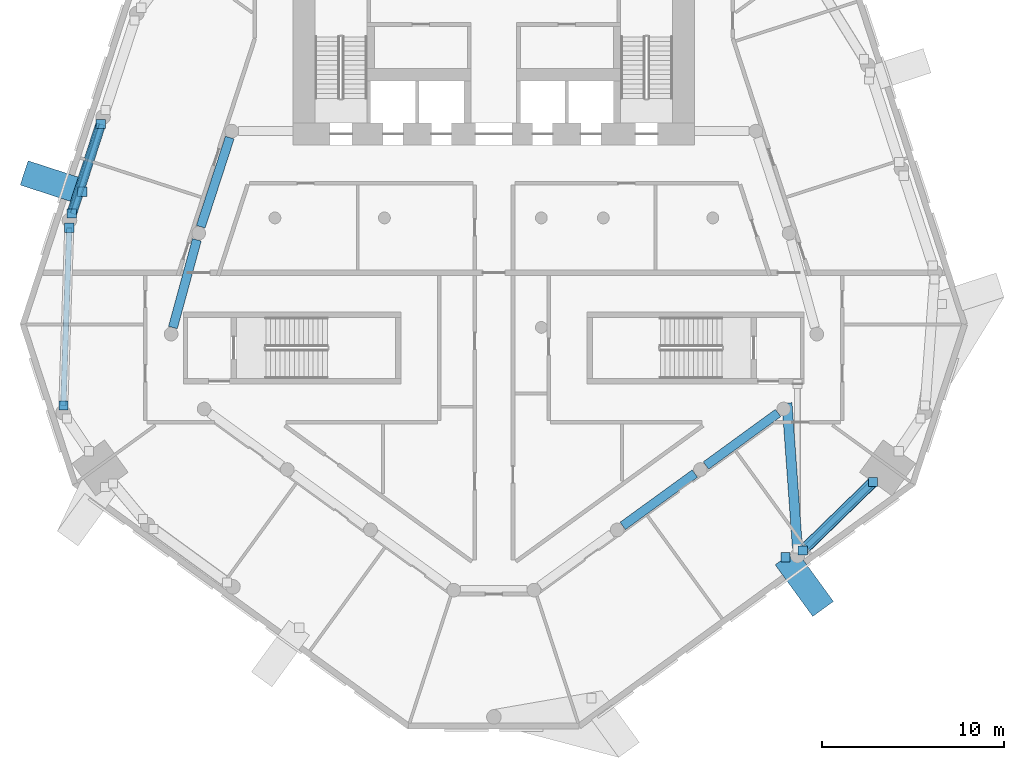
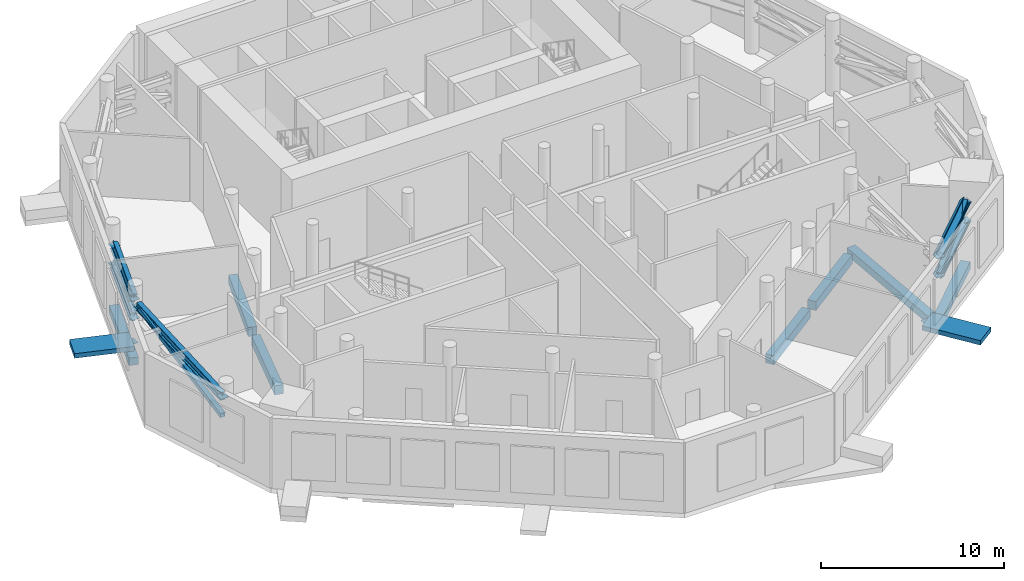
# One storey, part 2 of 15: 12 discrete accessories, 10 members, 7 beams.
"""IFC4 building model written with IfcOpenShell, lengths in metres."""

import ifcopenshell
import ifcopenshell.guid

model = None  # the IFC model being written
_history = None  # IfcOwnerHistory: only IFC2X3 demands one
_inside = {}  # id of a spatial element -> (the spatial element, [elements in it])
_under = {}  # id of a project, library or spatial element -> (it, [spatial elements below it])
_declared = {}  # id of a project -> (the project, [libraries it declares])
_typed = {}  # id of a type object -> (the type object, [elements of that type])
_made_of = {}  # id of a material, layer set ... -> (it, [elements and type objects made of it])


def new_model(schema):
    """Start an empty IFC model of exactly this schema.

    Asked for "IFC4X3", IfcOpenShell would pick the latest addendum, in which some entities
    have other attributes; the version numbers below select the first issue.
    IFC2X3 requires an IfcOwnerHistory on every rooted entity: one is made here for all.
    """
    global model, _history
    if schema == "IFC4X3":
        model = ifcopenshell.file(schema_version=(4, 3, 0, 0))
    else:
        model = ifcopenshell.file(schema=schema)
    _inside.clear()
    _under.clear()
    _declared.clear()
    _typed.clear()
    _made_of.clear()
    _history = None
    if model.schema == "IFC2X3":
        org = make("IfcOrganization", Name="unknown")
        user = make(
            "IfcPersonAndOrganization",
            ThePerson=make("IfcPerson", FamilyName="unknown"),
            TheOrganization=org,
        )
        app = make(
            "IfcApplication",
            ApplicationDeveloper=org,
            Version="unknown",
            ApplicationFullName="unknown",
            ApplicationIdentifier="unknown",
        )
        _history = make(
            "IfcOwnerHistory",
            OwningUser=user,
            OwningApplication=app,
            ChangeAction="ADDED",
            CreationDate=0,
        )
    return model


def make(cls, **values):
    """One entity of the class cls with the attributes given. An attribute that is None is left unset."""
    return model.create_entity(
        cls, **{name: value for name, value in values.items() if value is not None}
    )


def rooted(cls, **values):
    """An entity with a GlobalId (a new one), such as an element, a storey or a relation."""
    return make(cls, GlobalId=ifcopenshell.guid.new(), OwnerHistory=_history, **values)


def si_unit(unit_type, name, prefix=None):
    """IfcSIUnit, for example si_unit("LENGTHUNIT", "METRE", prefix="MILLI")."""
    return make("IfcSIUnit", UnitType=unit_type, Prefix=prefix, Name=name)


def assignment(units):
    """IfcUnitAssignment: the units of a project."""
    return None if units is None else make("IfcUnitAssignment", Units=units)


def point(xyz):
    """IfcCartesianPoint."""
    return None if xyz is None else make("IfcCartesianPoint", Coordinates=xyz)


def direction(xyz):
    """IfcDirection."""
    return None if xyz is None else make("IfcDirection", DirectionRatios=xyz)


def frame(location, z_axis=None, x_axis=None):
    """IfcAxis2Placement3D, a coordinate frame: its origin and axes. An axis left out is left unset."""
    return make(
        "IfcAxis2Placement3D",
        Location=point(location),
        Axis=direction(z_axis),
        RefDirection=direction(x_axis),
    )


def frame_2d(location, x_axis=None):
    """IfcAxis2Placement2D, a coordinate frame in the plane: its origin and x axis."""
    return make(
        "IfcAxis2Placement2D", Location=point(location), RefDirection=direction(x_axis)
    )


def origin():
    """The frame at (0, 0, 0) with its axes left unset."""
    return frame((0.0, 0.0, 0.0))


def origin_2d():
    """The frame at (0, 0) in the plane with its x axis left unset."""
    return frame_2d((0.0, 0.0))


def place(relative_to, where):
    """IfcLocalPlacement: puts the frame where relative to a parent placement (None: the world)."""
    return make(
        "IfcLocalPlacement", PlacementRelTo=relative_to, RelativePlacement=where
    )


def context(
    kind, dimensions, precision=None, world=None, true_north=None, identifier=None
):
    """IfcGeometricRepresentationContext, for example the 3D "Model" context."""
    return make(
        "IfcGeometricRepresentationContext",
        ContextIdentifier=identifier,
        ContextType=kind,
        CoordinateSpaceDimension=dimensions,
        Precision=precision,
        WorldCoordinateSystem=world,
        TrueNorth=true_north,
    )


def subcontext(parent, identifier, kind, view, scale=None):
    """IfcGeometricRepresentationSubContext, for example "Body" below "Model"."""
    return make(
        "IfcGeometricRepresentationSubContext",
        ContextIdentifier=identifier,
        ContextType=kind,
        ParentContext=parent,
        TargetScale=scale,
        TargetView=view,
    )


def project(units=None, contexts=None):
    """IfcProject with its units and contexts."""
    return rooted(
        "IfcProject",
        Name="project",
        RepresentationContexts=contexts,
        UnitsInContext=assignment(units),
    )


def spatial(cls, under=None, at=None, **own):
    """A site, building, storey or space (cls), placed at a placement, below another one or the project."""
    s = rooted(cls, ObjectPlacement=at, **own)
    if under is not None:
        _under.setdefault(under.id(), (under, []))[1].append(s)
    return s


def profile(cls, at=None, kind="AREA", **sizes):
    """A parametric profile (cls). Its sizes go by their IFC names, for example OverallWidth=200.0."""
    return make(cls, ProfileType=kind, Position=at, **sizes)


def rectangle(**sizes):
    """IfcRectangleProfileDef."""
    return profile("IfcRectangleProfileDef", **sizes)


def hollow_rectangle(**sizes):
    """IfcRectangleHollowProfileDef."""
    return profile("IfcRectangleHollowProfileDef", **sizes)


def i_section(**sizes):
    """IfcIShapeProfileDef."""
    return profile("IfcIShapeProfileDef", **sizes)


def extrude(swept, where, along, depth):
    """IfcExtrudedAreaSolid: the profile swept, set in the frame where, extruded along a direction by depth."""
    return make(
        "IfcExtrudedAreaSolid",
        SweptArea=swept,
        Position=where,
        ExtrudedDirection=direction(along),
        Depth=depth,
    )


def shape(context_of_items, identifier, shape_type, items):
    """IfcShapeRepresentation: the items that make up one representation, for example the "Body"."""
    return make(
        "IfcShapeRepresentation",
        ContextOfItems=context_of_items,
        RepresentationIdentifier=identifier,
        RepresentationType=shape_type,
        Items=items,
    )


def material(Name=None, Category=None):
    """IfcMaterial."""
    return make("IfcMaterial", Name=Name, Category=Category)


def layer(
    of_material, thickness, ventilated=None, Name=None, Category=None, Priority=None
):
    """IfcMaterialLayer: one layer of a wall or slab, of a material (None: an air gap)."""
    return make(
        "IfcMaterialLayer",
        Material=of_material,
        LayerThickness=thickness,
        IsVentilated=ventilated,
        Name=Name,
        Category=Category,
        Priority=Priority,
    )


def layer_set(layers, Name=None):
    """IfcMaterialLayerSet."""
    return make("IfcMaterialLayerSet", MaterialLayers=layers, LayerSetName=Name)


def material_profile(
    of_material, cross_section, Name=None, Category=None, Priority=None
):
    """IfcMaterialProfile: a cross section and its material."""
    return make(
        "IfcMaterialProfile",
        Name=Name,
        Material=of_material,
        Profile=cross_section,
        Priority=Priority,
        Category=Category,
    )


def profile_set(profiles, Name=None, composite=None):
    """IfcMaterialProfileSet."""
    return make(
        "IfcMaterialProfileSet",
        Name=Name,
        MaterialProfiles=profiles,
        CompositeProfile=composite,
    )


def made_of(thing, what):
    """Note that an element or type object is made of a material, layer set ...; save() writes the relation."""
    if what is not None:
        _made_of.setdefault(what.id(), (what, []))[1].append(thing)
    return thing


def type_object(cls, material=None, **own):
    """A type object (cls), such as IfcWallType, which elements share."""
    return made_of(rooted(cls, **own), material)


def element(
    cls,
    number,
    at=None,
    inside=None,
    cuts=None,
    type_object=None,
    material=None,
    context=None,
    identifier="Body",
    shape_type=None,
    held_by="IfcProductDefinitionShape",
    body=None,
    shapes=None,
    **own,
):
    """One element of the class cls, such as IfcWall. Its Tag is "e" and its number.

    at: its placement. inside: the storey or other place that contains it. cuts: it is an
    opening in that element (IfcRelVoidsElement). A single representation is given by context,
    identifier, shape_type and body (its items); several are given by shapes. held_by: the class
    of the entity that holds the representations. save() writes the other relations.
    """
    e = rooted(cls, Tag="e%d" % number, ObjectPlacement=at, **own)
    if body is not None:
        shapes = [shape(context, identifier, shape_type, body)]
    if shapes is not None:
        e.Representation = make(held_by, Representations=shapes)
    if inside is not None:
        _inside.setdefault(inside.id(), (inside, []))[1].append(e)
    if cuts is not None:
        rooted(
            "IfcRelVoidsElement", RelatingBuildingElement=cuts, RelatedOpeningElement=e
        )
    if type_object is not None:
        _typed.setdefault(type_object.id(), (type_object, []))[1].append(e)
    return made_of(e, material)


def aggregate(whole, parts):
    """IfcRelAggregates: a whole, such as a stair, and the parts it consists of."""
    return rooted("IfcRelAggregates", RelatingObject=whole, RelatedObjects=parts)


def save(model, path):
    """Write the relations noted so far, then the file.

    IfcRelAggregates (storeys below a building ...), IfcRelContainedInSpatialStructure (elements
    in a storey), IfcRelDefinesByType, IfcRelAssociatesMaterial and IfcRelDeclares: one each for
    every whole, place, type object, material and project.
    """
    for whole, parts in _under.values():
        aggregate(whole, parts)
    for where, things in _inside.values():
        rooted(
            "IfcRelContainedInSpatialStructure",
            RelatedElements=things,
            RelatingStructure=where,
        )
    for kind, things in _typed.values():
        rooted("IfcRelDefinesByType", RelatedObjects=things, RelatingType=kind)
    for what, things in _made_of.values():
        rooted("IfcRelAssociatesMaterial", RelatedObjects=things, RelatingMaterial=what)
    for by, libraries in _declared.values():
        rooted("IfcRelDeclares", RelatingContext=by, RelatedDefinitions=libraries)
    model.write(path)


model = new_model("IFC4")

# Units and contexts
model_context = context("Model", 3, precision=1e-05, world=origin(), true_north=direction((0.0, 1.0)))
body_context = subcontext(model_context, "Body", "Model", "MODEL_VIEW")
ifc_project = project(units=[si_unit("LENGTHUNIT", "METRE"), si_unit("AREAUNIT", "SQUARE_METRE"), si_unit("VOLUMEUNIT", "CUBIC_METRE"), si_unit("PLANEANGLEUNIT", "RADIAN"), si_unit("MASSUNIT", "GRAM", prefix="KILO")], contexts=[model_context])

# Site, building, storey
site_placement = place(None, origin())
site = spatial("IfcSite", under=ifc_project, at=site_placement, CompositionType="ELEMENT")
building_placement = place(site_placement, origin())
building = spatial("IfcBuilding", under=site, at=building_placement, Name="White Candle Pilgrim Tower", CompositionType="ELEMENT")
storey_placement = place(building_placement, frame((0.0, 0.0, 85.800048828125)))
storey = spatial("IfcBuildingStorey", under=building, at=storey_placement, Name="L18", CompositionType="ELEMENT", Elevation=85.800048828125)

# Member
ifc_material_1 = material(Name="Steel S355", Category="steel")
ifc_material_profile_1 = material_profile(ifc_material_1, i_section(OverallWidth=0.305908203125, OverallDepth=0.52392578125, WebThickness=0.02099609375, FlangeThickness=0.0400390625, FilletRadius=0.027099609375, at=origin_2d()), Name="HEM 500")
ifc_profile_set_1 = profile_set([ifc_material_profile_1], Name="Steel S355")
member_type_1 = type_object("IfcMemberType", Name="Belt truss chord HEM 500 S355", PredefinedType="CHORD", material=ifc_profile_set_1)
member_1_placement = place(storey_placement, frame((86.926513671875, 48.768798828125, 2.411865234375), z_axis=(0.716462232914, 0.697625880259, 0.0), x_axis=(0.486676503895, -0.49981708614, 0.716469720895)))
member_1 = element("IfcMember", 1, at=member_1_placement, inside=storey, type_object=member_type_1, Name="L18 belt truss bottom chord 05", PredefinedType="CHORD", context=body_context, shape_type="SweptSolid", body=[
    extrude(i_section(OverallWidth=0.305908203125, OverallDepth=0.52392578125, WebThickness=0.02099609375, FlangeThickness=0.0400390625, FilletRadius=0.027099609375, at=origin_2d()), origin(), (0.0, 0.0, 1.0), 5.37890625),
])

member_2_placement = place(storey_placement, frame((86.926513671875, 48.768798828125, 3.677978515625), z_axis=(0.716462232914, 0.697625880259, 0.0), x_axis=(0.486676503895, -0.49981708614, 0.716469720895)))
member_2 = element("IfcMember", 2, at=member_2_placement, inside=storey, type_object=member_type_1, Name="L18 belt truss top chord 05", PredefinedType="CHORD", context=body_context, shape_type="SweptSolid", body=[
    extrude(i_section(OverallWidth=0.305908203125, OverallDepth=0.52392578125, WebThickness=0.02099609375, FlangeThickness=0.0400390625, FilletRadius=0.027099609375, at=origin_2d()), origin(), (0.0, 0.0, 1.0), 5.37890625),
])

member_3_placement = place(storey_placement, frame((48.45654296875, 72.149658203125, 2.411865234375), z_axis=(-0.308682827488, -0.951165028801, 0.0), x_axis=(0.904717832975, -0.293609258441, -0.308673364668)))
member_3 = element("IfcMember", 3, at=member_3_placement, inside=storey, type_object=member_type_1, Name="L18 belt truss bottom chord 15", PredefinedType="CHORD", context=body_context, shape_type="SweptSolid", body=[
    extrude(i_section(OverallWidth=0.305908203125, OverallDepth=0.52392578125, WebThickness=0.02099609375, FlangeThickness=0.0400390625, FilletRadius=0.027099609375, at=origin_2d()), origin(), (0.0, 0.0, 1.0), 5.161376953125),
])

member_4_placement = place(storey_placement, frame((48.45654296875, 72.149658203125, 3.677978515625), z_axis=(-0.308682827488, -0.951165028801, 0.0), x_axis=(0.904717832975, -0.293609258441, -0.308673364668)))
member_4 = element("IfcMember", 4, at=member_4_placement, inside=storey, type_object=member_type_1, Name="L18 belt truss top chord 15", PredefinedType="CHORD", context=body_context, shape_type="SweptSolid", body=[
    extrude(i_section(OverallWidth=0.305908203125, OverallDepth=0.52392578125, WebThickness=0.02099609375, FlangeThickness=0.0400390625, FilletRadius=0.027099609375, at=origin_2d()), origin(), (0.0, 0.0, 1.0), 5.161376953125),
])

member_5_placement = place(storey_placement, frame((46.726806640625, 66.46044921875, 3.677978515625), z_axis=(-0.033224659514, -0.999447908598, 0.0), x_axis=(0.998896398441, -0.033206325654, -0.033216338126)))
member_5 = element("IfcMember", 5, at=member_5_placement, inside=storey, type_object=member_type_1, Name="L18 belt truss top chord 16", PredefinedType="CHORD", context=body_context, shape_type="SweptSolid", body=[
    extrude(i_section(OverallWidth=0.305908203125, OverallDepth=0.52392578125, WebThickness=0.02099609375, FlangeThickness=0.0400390625, FilletRadius=0.027099609375, at=origin_2d()), origin(), (0.0, 0.0, 1.0), 9.736328125),
])

# Members
ifc_material_profile_2 = material_profile(ifc_material_1, hollow_rectangle(XDim=0.300048828125, YDim=0.300048828125, WallThickness=0.01611328125, at=origin_2d()), Name="SHS 300x300x16")
ifc_profile_set_2 = profile_set([ifc_material_profile_2], Name="Steel S355")
member_type_2 = type_object("IfcMemberType", Name="Belt truss diagonal SHS 300x300x16 S355", PredefinedType="BRACE", material=ifc_profile_set_2)
member_6_placement = place(storey_placement, frame((86.926513671875, 48.768798828125, 2.411865234375), z_axis=(0.697402298331, 0.679067046269, 0.229124378787), x_axis=(-0.697625880259, 0.716462232914, 0.0)))
element("IfcMember", 6, at=member_6_placement, inside=storey, type_object=member_type_2, Name="L18 belt truss diagonal 05", PredefinedType="BRACE", context=body_context, shape_type="SweptSolid", body=[
    extrude(hollow_rectangle(XDim=0.300048828125, YDim=0.300048828125, WallThickness=0.01611328125, at=origin_2d()), origin(), (0.0, 0.0, 1.0), 5.52587890625),
])
member_7_placement = place(storey_placement, frame((48.45654296875, 72.149658203125, 2.411865234375), z_axis=(-0.299794917288, -0.923778117032, 0.238237272611), x_axis=(0.951165028801, -0.308682827488, 0.0)))
element("IfcMember", 7, at=member_7_placement, inside=storey, type_object=member_type_2, Name="L18 belt truss diagonal 15", PredefinedType="BRACE", context=body_context, shape_type="SweptSolid", body=[
    extrude(hollow_rectangle(XDim=0.300048828125, YDim=0.300048828125, WallThickness=0.01611328125, at=origin_2d()), origin(), (0.0, 0.0, 1.0), 5.314453125),
])
member_8_placement = place(storey_placement, frame((46.726806640625, 66.46044921875, 3.677978515625), z_axis=(-0.032947251469, -0.991103055893, -0.128954298958), x_axis=(0.999447908598, -0.033224659514, 0.0)))
element("IfcMember", 8, at=member_8_placement, inside=storey, type_object=member_type_2, Name="L18 belt truss diagonal 16", PredefinedType="BRACE", context=body_context, shape_type="SweptSolid", body=[
    extrude(hollow_rectangle(XDim=0.300048828125, YDim=0.300048828125, WallThickness=0.01611328125, at=origin_2d()), origin(), (0.0, 0.0, 1.0), 9.818359375),
])

# Member
ifc_material_2 = material(Name="Concrete C70/85, white", Category="concrete")
ifc_layer_1 = layer(ifc_material_2, 0.300048828125)
ifc_layer_set_1 = layer_set([ifc_layer_1], Name="Node tie strut 3350x1400x300 C70/85")
member_type_3 = type_object("IfcMemberType", Name="Node tie strut 3350x1400x300 C70/85", PredefinedType="STRUT", material=ifc_layer_set_1)
member_9_placement = place(storey_placement, frame((45.847900390625, 68.94970703125, -0.30029296875), z_axis=(0.0, 0.0, 1.0), x_axis=(-0.309016994375, -0.951056516295, 0.0)))
member_9 = element("IfcMember", 9, at=member_9_placement, inside=storey, type_object=member_type_3, Name="Node tie strut NC050", PredefinedType="STRUT", context=body_context, shape_type="SweptSolid", body=[
    extrude(rectangle(XDim=1.39990234375, YDim=3.35009765625, at=origin_2d()), origin(), (0.0, 0.0, 1.0), 0.300048828125),
])

ifc_layer_2 = layer(ifc_material_2, 0.300048828125)
ifc_layer_set_2 = layer_set([ifc_layer_2], Name="Node tie strut 3500x1400x300 C70/85")
member_type_4 = type_object("IfcMemberType", Name="Node tie strut 3500x1400x300 C70/85", PredefinedType="STRUT", material=ifc_layer_set_2)
member_10_placement = place(storey_placement, frame((87.014404296875, 46.98388671875, -0.30029296875), z_axis=(0.0, 0.0, 1.0), x_axis=(0.809016994375, 0.587785252292, 0.0)))
member_10 = element("IfcMember", 10, at=member_10_placement, inside=storey, type_object=member_type_4, Name="Node tie strut NC046", PredefinedType="STRUT", context=body_context, shape_type="SweptSolid", body=[
    extrude(rectangle(XDim=1.39990234375, YDim=3.5, at=origin_2d()), origin(), (0.0, 0.0, 1.0), 0.300048828125),
])

# Beams
ifc_material_3 = material(Name="Concrete C50/60", Category="concrete")
ifc_material_profile_3 = material_profile(ifc_material_3, rectangle(XDim=0.5, YDim=0.60009765625, at=origin_2d()), Name="RC-BM 500x600")
ifc_profile_set_3 = profile_set([ifc_material_profile_3], Name="Concrete C50/60")
beam_type_1 = type_object("IfcBeamType", Name="Ring beam RC-BM 500x600 C50/60", PredefinedType="BEAM", material=ifc_profile_set_3)
beam_1_placement = place(storey_placement, frame((77.063232421875, 50.1201171875, -0.60009765625), z_axis=(0.809276033964, 0.587428549572, 0.0), x_axis=(-0.587428549572, 0.809276033964, 0.0)))
element("IfcBeam", 11, at=beam_1_placement, inside=storey, type_object=beam_type_1, Name="L18 ring beam R06", PredefinedType="BEAM", context=body_context, shape_type="SweptSolid", body=[
    extrude(rectangle(XDim=0.5, YDim=0.60009765625, at=origin_2d()), origin(), (0.0, 0.0, 1.0), 4.885009765625),
])
beam_2_placement = place(storey_placement, frame((81.623046875, 53.4306640625, -0.60009765625), z_axis=(0.808431607518, 0.58859012561, 0.0), x_axis=(-0.58859012561, 0.808431607518, 0.0)))
element("IfcBeam", 12, at=beam_2_placement, inside=storey, type_object=beam_type_1, Name="L18 ring beam R07", PredefinedType="BEAM", context=body_context, shape_type="SweptSolid", body=[
    extrude(rectangle(XDim=0.5, YDim=0.60009765625, at=origin_2d()), origin(), (0.0, 0.0, 1.0), 4.890869140625),
])
beam_3_placement = place(storey_placement, frame((55.524169921875, 71.403564453125, -0.60009765625), z_axis=(-0.309106483996, -0.9510274347, 0.0), x_axis=(0.9510274347, -0.309106483996, 0.0)))
element("IfcBeam", 13, at=beam_3_placement, inside=storey, type_object=beam_type_1, Name="L18 ring beam R12", PredefinedType="BEAM", context=body_context, shape_type="SweptSolid", body=[
    extrude(rectangle(XDim=0.5, YDim=0.60009765625, at=origin_2d()), origin(), (0.0, 0.0, 1.0), 5.138671875),
])
beam_4_placement = place(storey_placement, frame((53.72119140625, 65.79833984375, -0.60009765625), z_axis=(-0.263415907103, -0.964682362172, 0.0), x_axis=(0.964682362172, -0.263415907103, 0.0)))
element("IfcBeam", 14, at=beam_4_placement, inside=storey, type_object=beam_type_1, Name="L18 ring beam R13", PredefinedType="BEAM", context=body_context, shape_type="SweptSolid", body=[
    extrude(rectangle(XDim=0.5, YDim=0.60009765625, at=origin_2d()), origin(), (0.0, 0.0, 1.0), 4.982666015625),
])
ifc_material_profile_4 = material_profile(ifc_material_3, rectangle(XDim=0.550048828125, YDim=0.5, at=origin_2d()), Name="RC-BM 550x500")
ifc_profile_set_4 = profile_set([ifc_material_profile_4], Name="Concrete C50/60")
beam_type_2 = type_object("IfcBeamType", Name="Spandrel beam RC-BM 550x500 C50/60", PredefinedType="BEAM", material=ifc_profile_set_4)
beam_5_placement = place(storey_placement, frame((86.639892578125, 48.889892578125, -0.550048828125), z_axis=(-0.071694624988, 0.997426629255, 0.0), x_axis=(-0.997426629255, -0.071694624988, 0.0)))
element("IfcBeam", 15, at=beam_5_placement, inside=storey, type_object=beam_type_2, Name="L18 spandrel beam T04", PredefinedType="BEAM", context=body_context, shape_type="SweptSolid", body=[
    extrude(rectangle(XDim=0.550048828125, YDim=0.5, at=origin_2d()), origin(), (0.0, 0.0, 1.0), 7.9853515625),
])
beam_6_placement = place(storey_placement, frame((86.926513671875, 48.768798828125, -0.550048828125), z_axis=(0.716462232914, 0.697625880259, 0.0), x_axis=(-0.697625880259, 0.716462232914, 0.0)))
element("IfcBeam", 16, at=beam_6_placement, inside=storey, type_object=beam_type_2, Name="L18 spandrel beam T05", PredefinedType="BEAM", context=body_context, shape_type="SweptSolid", body=[
    extrude(rectangle(XDim=0.550048828125, YDim=0.5, at=origin_2d()), origin(), (0.0, 0.0, 1.0), 5.37890625),
])
beam_7_placement = place(storey_placement, frame((48.45654296875, 72.149658203125, -0.550048828125), z_axis=(-0.308682827488, -0.951165028801, 0.0), x_axis=(0.951165028801, -0.308682827488, 0.0)))
element("IfcBeam", 17, at=beam_7_placement, inside=storey, type_object=beam_type_2, Name="L18 spandrel beam T15", PredefinedType="BEAM", context=body_context, shape_type="SweptSolid", body=[
    extrude(rectangle(XDim=0.550048828125, YDim=0.5, at=origin_2d()), origin(), (0.0, 0.0, 1.0), 5.161376953125),
])

# Discrete accessory
ifc_layer_3 = layer(ifc_material_1, 0.02490234375)
ifc_layer_set_3 = layer_set([ifc_layer_3], Name="Gusset plate 500x500x25 S355")
discrete_accessory_type = type_object("IfcDiscreteAccessoryType", Name="Gusset plate 500x500x25 S355", PredefinedType="BRACKET", material=ifc_layer_set_3)
discrete_accessory_1_placement = place(storey_placement, frame((85.98583984375, 48.399658203125, -0.16259765625), z_axis=(0.0, 0.0, 1.0), x_axis=(1.0, 0.0, 0.0)))
discrete_accessory_1 = element("IfcDiscreteAccessory", 18, at=discrete_accessory_1_placement, type_object=discrete_accessory_type, Name="Gusset plate 0427", PredefinedType="BRACKET", context=body_context, shape_type="SweptSolid", body=[
    extrude(rectangle(XDim=0.5, YDim=0.5, at=origin_2d()), origin(), (0.0, 0.0, 1.0), 0.02490234375),
])

aggregate(member_10, [discrete_accessory_1])

discrete_accessory_2_placement = place(storey_placement, frame((47.44091796875, 68.43212890625, -0.16259765625), z_axis=(0.0, 0.0, 1.0), x_axis=(1.0, 0.0, 0.0)))
discrete_accessory_2 = element("IfcDiscreteAccessory", 19, at=discrete_accessory_2_placement, type_object=discrete_accessory_type, Name="Gusset plate 0431", PredefinedType="BRACKET", context=body_context, shape_type="SweptSolid", body=[
    extrude(rectangle(XDim=0.5, YDim=0.5, at=origin_2d()), origin(), (0.0, 0.0, 1.0), 0.02490234375),
])

aggregate(member_9, [discrete_accessory_2])

discrete_accessory_3_placement = place(storey_placement, frame((86.926513671875, 48.768798828125, 2.3994140625), z_axis=(0.0, 0.0, 1.0), x_axis=(1.0, 0.0, 0.0)))
discrete_accessory_3 = element("IfcDiscreteAccessory", 20, at=discrete_accessory_3_placement, type_object=discrete_accessory_type, Name="Gusset plate 0674", PredefinedType="BRACKET", context=body_context, shape_type="SweptSolid", body=[
    extrude(rectangle(XDim=0.5, YDim=0.5, at=origin_2d()), origin(), (0.0, 0.0, 1.0), 0.02490234375),
])

discrete_accessory_4_placement = place(storey_placement, frame((90.7802734375, 52.521240234375, 2.3994140625), z_axis=(0.0, 0.0, 1.0), x_axis=(1.0, 0.0, 0.0)))
discrete_accessory_4 = element("IfcDiscreteAccessory", 21, at=discrete_accessory_4_placement, type_object=discrete_accessory_type, Name="Gusset plate 0675", PredefinedType="BRACKET", context=body_context, shape_type="SweptSolid", body=[
    extrude(rectangle(XDim=0.5, YDim=0.5, at=origin_2d()), origin(), (0.0, 0.0, 1.0), 0.02490234375),
])

aggregate(member_1, [discrete_accessory_3, discrete_accessory_4])

discrete_accessory_5_placement = place(storey_placement, frame((86.926513671875, 48.768798828125, 3.66552734375), z_axis=(0.0, 0.0, 1.0), x_axis=(1.0, 0.0, 0.0)))
discrete_accessory_5 = element("IfcDiscreteAccessory", 22, at=discrete_accessory_5_placement, type_object=discrete_accessory_type, Name="Gusset plate 0676", PredefinedType="BRACKET", context=body_context, shape_type="SweptSolid", body=[
    extrude(rectangle(XDim=0.5, YDim=0.5, at=origin_2d()), origin(), (0.0, 0.0, 1.0), 0.02490234375),
])

discrete_accessory_6_placement = place(storey_placement, frame((90.7802734375, 52.521240234375, 3.66552734375), z_axis=(0.0, 0.0, 1.0), x_axis=(1.0, 0.0, 0.0)))
discrete_accessory_6 = element("IfcDiscreteAccessory", 23, at=discrete_accessory_6_placement, type_object=discrete_accessory_type, Name="Gusset plate 0677", PredefinedType="BRACKET", context=body_context, shape_type="SweptSolid", body=[
    extrude(rectangle(XDim=0.5, YDim=0.5, at=origin_2d()), origin(), (0.0, 0.0, 1.0), 0.02490234375),
])

aggregate(member_2, [discrete_accessory_5, discrete_accessory_6])

discrete_accessory_7_placement = place(storey_placement, frame((48.45654296875, 72.149658203125, 2.3994140625), z_axis=(0.0, 0.0, 1.0), x_axis=(1.0, 0.0, 0.0)))
discrete_accessory_7 = element("IfcDiscreteAccessory", 24, at=discrete_accessory_7_placement, type_object=discrete_accessory_type, Name="Gusset plate 0714", PredefinedType="BRACKET", context=body_context, shape_type="SweptSolid", body=[
    extrude(rectangle(XDim=0.5, YDim=0.5, at=origin_2d()), origin(), (0.0, 0.0, 1.0), 0.02490234375),
])

discrete_accessory_8_placement = place(storey_placement, frame((46.86328125, 67.240234375, 2.3994140625), z_axis=(0.0, 0.0, 1.0), x_axis=(1.0, 0.0, 0.0)))
discrete_accessory_8 = element("IfcDiscreteAccessory", 25, at=discrete_accessory_8_placement, type_object=discrete_accessory_type, Name="Gusset plate 0715", PredefinedType="BRACKET", context=body_context, shape_type="SweptSolid", body=[
    extrude(rectangle(XDim=0.5, YDim=0.5, at=origin_2d()), origin(), (0.0, 0.0, 1.0), 0.02490234375),
])

aggregate(member_3, [discrete_accessory_7, discrete_accessory_8])

discrete_accessory_9_placement = place(storey_placement, frame((48.45654296875, 72.149658203125, 3.66552734375), z_axis=(0.0, 0.0, 1.0), x_axis=(1.0, 0.0, 0.0)))
discrete_accessory_9 = element("IfcDiscreteAccessory", 26, at=discrete_accessory_9_placement, type_object=discrete_accessory_type, Name="Gusset plate 0716", PredefinedType="BRACKET", context=body_context, shape_type="SweptSolid", body=[
    extrude(rectangle(XDim=0.5, YDim=0.5, at=origin_2d()), origin(), (0.0, 0.0, 1.0), 0.02490234375),
])

discrete_accessory_10_placement = place(storey_placement, frame((46.86328125, 67.240234375, 3.66552734375), z_axis=(0.0, 0.0, 1.0), x_axis=(1.0, 0.0, 0.0)))
discrete_accessory_10 = element("IfcDiscreteAccessory", 27, at=discrete_accessory_10_placement, type_object=discrete_accessory_type, Name="Gusset plate 0717", PredefinedType="BRACKET", context=body_context, shape_type="SweptSolid", body=[
    extrude(rectangle(XDim=0.5, YDim=0.5, at=origin_2d()), origin(), (0.0, 0.0, 1.0), 0.02490234375),
])

aggregate(member_4, [discrete_accessory_9, discrete_accessory_10])

discrete_accessory_11_placement = place(storey_placement, frame((46.726806640625, 66.46044921875, 3.66552734375), z_axis=(0.0, 0.0, 1.0), x_axis=(1.0, 0.0, 0.0)))
discrete_accessory_11 = element("IfcDiscreteAccessory", 28, at=discrete_accessory_11_placement, type_object=discrete_accessory_type, Name="Gusset plate 0720", PredefinedType="BRACKET", context=body_context, shape_type="SweptSolid", body=[
    extrude(rectangle(XDim=0.5, YDim=0.5, at=origin_2d()), origin(), (0.0, 0.0, 1.0), 0.02490234375),
])

discrete_accessory_12_placement = place(storey_placement, frame((46.4033203125, 56.7294921875, 3.66552734375), z_axis=(0.0, 0.0, 1.0), x_axis=(1.0, 0.0, 0.0)))
discrete_accessory_12 = element("IfcDiscreteAccessory", 29, at=discrete_accessory_12_placement, type_object=discrete_accessory_type, Name="Gusset plate 0721", PredefinedType="BRACKET", context=body_context, shape_type="SweptSolid", body=[
    extrude(rectangle(XDim=0.5, YDim=0.5, at=origin_2d()), origin(), (0.0, 0.0, 1.0), 0.02490234375),
])

aggregate(member_5, [discrete_accessory_11, discrete_accessory_12])

save(model, "model.ifc")
